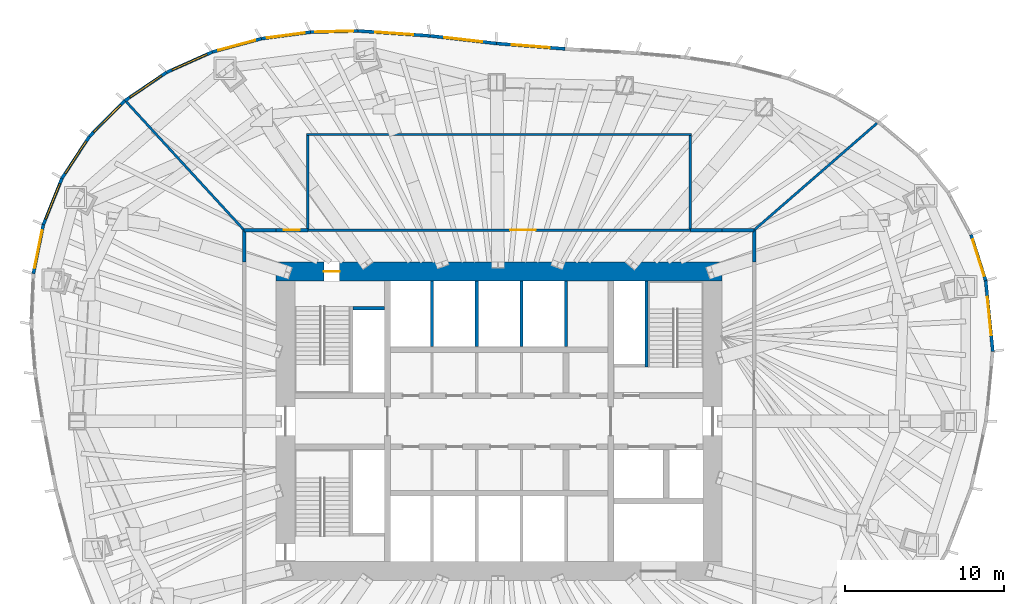
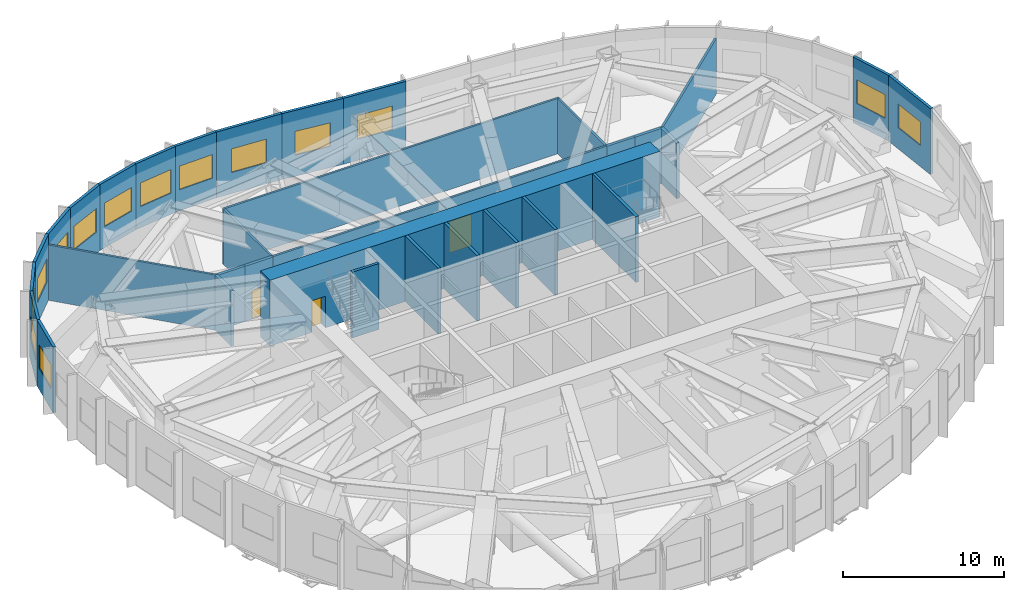
# One storey, part 9 of 12: 33 walls, 14 windows, 3 doors, 17 openings.
"""IFC4 building model written with IfcOpenShell, lengths in metres."""

from ifc_helpers import new_model, si_unit, direction, frame, frame_2d, origin, place, context, subcontext, project, spatial, rectangle, extrude, material, layer, layer_set, type_object, element, fill, save


model = new_model("IFC4")

# Units and contexts
model_context = context("Model", 3, precision=1e-05, world=origin(), true_north=direction((0.0, 1.0)))
body_context = subcontext(model_context, "Body", "Model", "MODEL_VIEW")
ifc_project = project(units=[si_unit("LENGTHUNIT", "METRE"), si_unit("AREAUNIT", "SQUARE_METRE"), si_unit("VOLUMEUNIT", "CUBIC_METRE"), si_unit("PLANEANGLEUNIT", "RADIAN"), si_unit("MASSUNIT", "GRAM", prefix="KILO")], contexts=[model_context])

# Site, building, storey
site_placement = place(None, origin())
site = spatial("IfcSite", under=ifc_project, at=site_placement, CompositionType="ELEMENT")
building_placement = place(site_placement, origin())
building = spatial("IfcBuilding", under=site, at=building_placement, Name="Ghaith Harvest Tower", CompositionType="ELEMENT")
storey_placement = place(building_placement, frame((0.0, 0.0, 189.800048828125)))
storey = spatial("IfcBuildingStorey", under=building, at=storey_placement, Name="L41", CompositionType="ELEMENT", Elevation=189.800048828125)

# Wall, opening, door
ifc_material_1 = material(Name="Concrete blockwork, 1-hour", Category="masonry")
ifc_layer_1 = layer(ifc_material_1, 0.215087890625)
ifc_layer_set_1 = layer_set([ifc_layer_1], Name="BLOCKWORK WALL 215")
wall_type_1 = type_object("IfcWallType", Name="BLOCKWORK WALL 215", PredefinedType="PARTITIONING", material=ifc_layer_set_1)
wall_1_placement = place(storey_placement, frame((-12.0, 12.0, 0.0), z_axis=(0.0, 0.0, 1.0), x_axis=(-1.0, 0.0, 0.0)))
wall_1 = element("IfcWall", 1, at=wall_1_placement, inside=storey, type_object=wall_type_1, Name="Plant room wall L41", PredefinedType="PARTITIONING", context=body_context, shape_type="SweptSolid", body=[
    extrude(rectangle(XDim=2.0, YDim=0.215087890625, at=frame_2d((1.0, 0.0))), origin(), (0.0, 0.0, 1.0), 4.199951171875),
])
opening_1_placement = place(wall_1_placement, frame((0.5, 0.0, 0.0)))
opening_1 = element("IfcOpeningElement", 2, at=opening_1_placement, cuts=wall_1, Name="Opening 41-024", PredefinedType="OPENING", context=body_context, shape_type="SweptSolid", body=[
    extrude(rectangle(XDim=1.0, YDim=2.199951171875, at=frame_2d((0.5, 1.10009765625))), frame((0.0, 0.11767578125, 0.0), z_axis=(0.0, -1.0, 0.0), x_axis=(1.0, 0.0, 0.0)), (0.0, 0.0, 1.0), 0.235107421875),
])
ifc_material_2 = material(Name="Timber door", Category="wood")
door_type_1 = type_object("IfcDoorType", Name="D1 SINGLE 1000x2200", OperationType="SINGLE_SWING_LEFT", PredefinedType="DOOR", material=ifc_material_2)
door_1_placement = place(opening_1_placement, origin())
door_1 = element("IfcDoor", 3, at=door_1_placement, inside=storey, type_object=door_type_1, Name="Air handling plant room north door", OperationType="SINGLE_SWING_LEFT", OverallHeight=2.199951171875, OverallWidth=1.0, PredefinedType="DOOR", context=body_context, shape_type="SweptSolid", body=[
    extrude(rectangle(XDim=1.0, YDim=2.199951171875, at=frame_2d((0.5, 1.10009765625))), frame((0.0, 0.02490234375, 0.0), z_axis=(0.0, -1.0, 0.0), x_axis=(1.0, 0.0, 0.0)), (0.0, 0.0, 1.0), 0.050048828125),
])
fill(opening_1, door_1)

# Walls
for number, where, z_axis, x_axis, name in (
    (4, (-14.0, 12.0, 0.0), (0.0, 0.0, 1.0), (-1.0, 0.0, 0.0), "Plant room wall L41"),
    (5, (16.0, 12.0, 0.0), (0.0, 0.0, 1.0), (-1.0, 0.0, 0.0), "Plant room wall L41"),
    (6, (14.0, 12.0, 0.0), (0.0, 0.0, 1.0), (-1.0, 0.0, 0.0), "Plant room wall L41"),
    (7, (16.0, 10.0, 0.0), (0.0, 0.0, 1.0), (0.0, 1.0, 0.0), "Plant room wall L41"),
    (8, (-16.0, 12.0, 0.0), (0.0, 0.0, 1.0), (0.0, -1.0, 0.0), "Plant room wall L41"),
):
    element("IfcWall", number, at=place(storey_placement, frame(where, z_axis=z_axis, x_axis=x_axis)), inside=storey, type_object=wall_type_1, Name=name, PredefinedType="PARTITIONING", context=body_context, shape_type="SweptSolid", body=[
        extrude(rectangle(XDim=2.0, YDim=0.215087890625, at=frame_2d((1.0, 0.0))), origin(), (0.0, 0.0, 1.0), 4.199951171875),
    ])

# Wall, opening, door
ifc_material_3 = material(Name="Concrete C60/75", Category="concrete")
ifc_layer_2 = layer(ifc_material_3, 1.199951171875)
ifc_layer_set_2 = layer_set([ifc_layer_2], Name="CORE WALL CW1200 C60")
wall_type_2 = type_object("IfcWallType", Name="CORE WALL CW1200 C60", PredefinedType="SHEAR", material=ifc_layer_set_2)
wall_2_placement = place(storey_placement, frame((14.0, 9.39990234375, 0.0), z_axis=(0.0, 0.0, 1.0), x_axis=(-1.0, 0.0, 0.0)))
wall_2 = element("IfcWall", 9, at=wall_2_placement, inside=storey, type_object=wall_type_2, Name="Core wall N L41", PredefinedType="SHEAR", context=body_context, shape_type="SweptSolid", body=[
    extrude(rectangle(XDim=28.0, YDim=1.199951171875, at=frame_2d((14.0, 0.0))), origin(), (0.0, 0.0, 1.0), 5.0),
])
opening_2_placement = place(wall_2_placement, frame((24.0, 0.0, 0.0)))
opening_2 = element("IfcOpeningElement", 10, at=opening_2_placement, cuts=wall_2, Name="Opening 41-005", PredefinedType="OPENING", context=body_context, shape_type="SweptSolid", body=[
    extrude(rectangle(XDim=1.0, YDim=2.39990234375, at=frame_2d((0.5, 1.199951171875))), frame((0.0, 0.60986328125, 0.0), z_axis=(0.0, -1.0, 0.0), x_axis=(1.0, 0.0, 0.0)), (0.0, 0.0, 1.0), 1.219970703125),
])
ifc_material_4 = material(Name="Steel fire door", Category="steel")
door_type_2 = type_object("IfcDoorType", Name="D3 FD90 1000x2400", OperationType="SINGLE_SWING_LEFT", PredefinedType="DOOR", material=ifc_material_4)
door_2_placement = place(opening_2_placement, origin())
door_2 = element("IfcDoor", 11, at=door_2_placement, inside=storey, type_object=door_type_2, Name="Stair ST1 door", OperationType="SINGLE_SWING_RIGHT", OverallHeight=2.39990234375, OverallWidth=1.0, PredefinedType="DOOR", context=body_context, shape_type="SweptSolid", body=[
    extrude(rectangle(XDim=1.0, YDim=2.39990234375, at=frame_2d((0.5, 1.199951171875))), frame((0.0, 0.02490234375, 0.0), z_axis=(0.0, -1.0, 0.0), x_axis=(1.0, 0.0, 0.0)), (0.0, 0.0, 1.0), 0.050048828125),
])
fill(opening_2, door_2)

# Walls
ifc_material_5 = material(Name="Concrete blockwork, 2-hour", Category="masonry")
ifc_layer_3 = layer(ifc_material_5, 0.199951171875)
ifc_layer_set_3 = layer_set([ifc_layer_3], Name="LIFT SHAFT WALL 200")
wall_type_3 = type_object("IfcWallType", Name="LIFT SHAFT WALL 200", PredefinedType="PARTITIONING", material=ifc_layer_set_3)
for number, where, z_axis, x_axis, name in (
    (12, (-4.199951171875, 4.699951171875, 0.0), (0.0, 0.0, 1.0), (0.0, 1.0, 0.0), "Lift shaft wall L41"),
    (13, (-1.39990234375, 4.699951171875, 0.0), (0.0, 0.0, 1.0), (0.0, 1.0, 0.0), "Lift shaft wall L41"),
    (14, (1.39990234375, 4.699951171875, 0.0), (0.0, 0.0, 1.0), (0.0, 1.0, 0.0), "Lift shaft wall L41"),
    (15, (4.199951171875, 4.699951171875, 0.0), (0.0, 0.0, 1.0), (0.0, 1.0, 0.0), "Lift shaft wall L41"),
):
    element("IfcWall", number, at=place(storey_placement, frame(where, z_axis=z_axis, x_axis=x_axis)), inside=storey, type_object=wall_type_3, Name=name, PredefinedType="PARTITIONING", context=body_context, shape_type="SweptSolid", body=[
        extrude(rectangle(XDim=4.10009765625, YDim=0.199951171875, at=frame_2d((2.050048828125, 0.0))), origin(), (0.0, 0.0, 1.0), 5.0),
    ])
ifc_material_6 = material(Name="Gypsum board on steel studs", Category="steel")
ifc_layer_4 = layer(ifc_material_6, 0.14990234375)
ifc_layer_set_4 = layer_set([ifc_layer_4], Name="PARTITION 150")
wall_type_4 = type_object("IfcWallType", Name="PARTITION 150", PredefinedType="PARTITIONING", material=ifc_layer_set_4)
wall_3_placement = place(storey_placement, frame((-16.013427734375, 12.0146484375, 0.0), z_axis=(0.0, 0.0, 1.0), x_axis=(-0.676167685567, 0.73674775941, 0.0)))
element("IfcWall", 16, at=wall_3_placement, inside=storey, type_object=wall_type_4, Name="Partition L41 zone division", PredefinedType="PARTITIONING", context=body_context, shape_type="SweptSolid", body=[
    extrude(rectangle(XDim=10.9013671875, YDim=0.14990234375, at=frame_2d((5.45068359375, 0.0))), origin(), (0.0, 0.0, 1.0), 4.199951171875),
])
wall_4_placement = place(storey_placement, frame((16.01513671875, 12.01318359375, 0.0), z_axis=(0.0, 0.0, 1.0), x_axis=(0.754689007548, 0.656082694397, 0.0)))
element("IfcWall", 17, at=wall_4_placement, inside=storey, type_object=wall_type_4, Name="Partition L41 zone division", PredefinedType="PARTITIONING", context=body_context, shape_type="SweptSolid", body=[
    extrude(rectangle(XDim=10.1982421875, YDim=0.14990234375, at=frame_2d((5.09912109375, 0.0))), origin(), (0.0, 0.0, 1.0), 4.199951171875),
])

# Wall, opening, door
wall_5_placement = place(storey_placement, frame((-12.074951171875, 12.0, 0.0), z_axis=(0.0, 0.0, 1.0), x_axis=(1.0, 0.0, 0.0)))
wall_5 = element("IfcWall", 18, at=wall_5_placement, inside=storey, type_object=wall_type_4, Name="Partition L41-01", PredefinedType="PARTITIONING", context=body_context, shape_type="SweptSolid", body=[
    extrude(rectangle(XDim=24.14990234375, YDim=0.14990234375, at=frame_2d((12.074951171875, 0.0))), origin(), (0.0, 0.0, 1.0), 4.199951171875),
])
opening_3_placement = place(wall_5_placement, frame((12.77490234375, 0.0, 0.0)))
opening_3 = element("IfcOpeningElement", 19, at=opening_3_placement, cuts=wall_5, Name="Opening 41-021", PredefinedType="OPENING", context=body_context, shape_type="SweptSolid", body=[
    extrude(rectangle(XDim=1.60009765625, YDim=2.39990234375, at=frame_2d((0.800048828125, 1.199951171875))), frame((0.0, 0.0849609375, 0.0), z_axis=(0.0, -1.0, 0.0), x_axis=(1.0, 0.0, 0.0)), (0.0, 0.0, 1.0), 0.169921875),
])
ifc_material_7 = material(Name="Timber door", Category="wood")
door_type_3 = type_object("IfcDoorType", Name="D2 PAIR 1600x2400", OperationType="DOUBLE_DOOR_SINGLE_SWING", PredefinedType="DOOR", material=ifc_material_7)
door_3_placement = place(opening_3_placement, origin())
door_3 = element("IfcDoor", 20, at=door_3_placement, inside=storey, type_object=door_type_3, Name="Refuge area door", OperationType="DOUBLE_DOOR_SINGLE_SWING", OverallHeight=2.39990234375, OverallWidth=1.60009765625, PredefinedType="DOOR", context=body_context, shape_type="SweptSolid", body=[
    extrude(rectangle(XDim=1.60009765625, YDim=2.39990234375, at=frame_2d((0.800048828125, 1.199951171875))), frame((0.0, 0.02490234375, 0.0), z_axis=(0.0, -1.0, 0.0), x_axis=(1.0, 0.0, 0.0)), (0.0, 0.0, 1.0), 0.050048828125),
])
fill(opening_3, door_3)

# Walls
wall_6_placement = place(storey_placement, frame((-12.074951171875, 18.0, 0.0), z_axis=(0.0, 0.0, 1.0), x_axis=(1.0, 0.0, 0.0)))
element("IfcWall", 21, at=wall_6_placement, inside=storey, type_object=wall_type_4, Name="Partition L41-01", PredefinedType="PARTITIONING", context=body_context, shape_type="SweptSolid", body=[
    extrude(rectangle(XDim=24.14990234375, YDim=0.14990234375, at=frame_2d((12.074951171875, 0.0))), origin(), (0.0, 0.0, 1.0), 4.199951171875),
])
for number, where, z_axis, x_axis, name in (
    (22, (-12.0, 12.074951171875, 0.0), (0.0, 0.0, 1.0), (0.0, 1.0, 0.0), "Partition L41-01"),
    (23, (12.0, 12.074951171875, 0.0), (0.0, 0.0, 1.0), (0.0, 1.0, 0.0), "Partition L41-01"),
):
    element("IfcWall", number, at=place(storey_placement, frame(where, z_axis=z_axis, x_axis=x_axis)), inside=storey, type_object=wall_type_4, Name=name, PredefinedType="PARTITIONING", context=body_context, shape_type="SweptSolid", body=[
        extrude(rectangle(XDim=5.85009765625, YDim=0.14990234375, at=frame_2d((2.925048828125, 0.0))), origin(), (0.0, 0.0, 1.0), 4.199951171875),
    ])

# Wall, opening, window
ifc_material_8 = material(Name="Steel, black insulated metal cladding panel", Category="steel")
ifc_layer_5 = layer(ifc_material_8, 0.199951171875)
ifc_layer_set_5 = layer_set([ifc_layer_5], Name="PLANT ENCLOSURE WALL 200")
wall_type_5 = type_object("IfcWallType", Name="PLANT ENCLOSURE WALL 200", PredefinedType="SOLIDWALL", material=ifc_layer_set_5)
wall_7_placement = place(storey_placement, frame((30.97900390625, 4.386962890625, 0.0), z_axis=(0.0, 0.0, 1.0), x_axis=(-0.099509138376, 0.99503664826, 0.0)))
wall_7 = element("IfcWall", 24, at=wall_7_placement, inside=storey, type_object=wall_type_5, Name="Plant enclosure wall 01.2 L41", PredefinedType="SOLIDWALL", context=body_context, shape_type="SweptSolid", body=[
    extrude(rectangle(XDim=4.46044921875, YDim=0.199951171875, at=frame_2d((2.230224609375, 0.0))), origin(), (0.0, 0.0, 1.0), 5.0),
])
opening_4_placement = place(wall_7_placement, frame((1.0302734375, 0.0, 1.60009765625)))
opening_4 = element("IfcOpeningElement", 25, at=opening_4_placement, cuts=wall_7, Name="Opening LV1", PredefinedType="OPENING", context=body_context, shape_type="SweptSolid", body=[
    extrude(rectangle(XDim=2.39990234375, YDim=1.800048828125, at=frame_2d((1.199951171875, 0.89990234375))), frame((0.0, 0.10986328125, 0.0), z_axis=(0.0, -1.0, 0.0), x_axis=(1.0, 0.0, 0.0)), (0.0, 0.0, 1.0), 0.219970703125),
])
ifc_material_9 = material(Name="Aluminium louvre, black", Category="aluminium")
window_type = type_object("IfcWindowType", Name="LOUVRE L1 2400x1800", PartitioningType="SINGLE_PANEL", PredefinedType="WINDOW", material=ifc_material_9)
window_1_placement = place(opening_4_placement, origin())
window_1 = element("IfcWindow", 26, at=window_1_placement, inside=storey, type_object=window_type, Name="Plant louvre 01.2 L41", OverallHeight=1.800048828125, OverallWidth=2.39990234375, PartitioningType="SINGLE_PANEL", PredefinedType="WINDOW", context=body_context, shape_type="SweptSolid", body=[
    extrude(rectangle(XDim=2.39990234375, YDim=1.800048828125, at=frame_2d((1.199951171875, 0.89990234375))), frame((0.0, 0.030029296875, 0.0), z_axis=(0.0, -1.0, 0.0), x_axis=(1.0, 0.0, 0.0)), (0.0, 0.0, 1.0), 0.06005859375),
])
fill(opening_4, window_1)

wall_8_placement = place(storey_placement, frame((30.53515625, 8.8251953125, 0.0), z_axis=(0.0, 0.0, 1.0), x_axis=(-0.303736389134, 0.952756110406, 0.0)))
wall_8 = element("IfcWall", 27, at=wall_8_placement, inside=storey, type_object=wall_type_5, Name="Plant enclosure wall 02.1 L41", PredefinedType="SOLIDWALL", context=body_context, shape_type="SweptSolid", body=[
    extrude(rectangle(XDim=3.0263671875, YDim=0.199951171875, at=frame_2d((1.51318359375, 0.0))), origin(), (0.0, 0.0, 1.0), 5.0),
])
opening_5_placement = place(wall_8_placement, frame((0.31298828125, 0.0, 1.60009765625)))
opening_5 = element("IfcOpeningElement", 28, at=opening_5_placement, cuts=wall_8, Name="Opening LV1", PredefinedType="OPENING", context=body_context, shape_type="SweptSolid", body=[
    extrude(rectangle(XDim=2.39990234375, YDim=1.800048828125, at=frame_2d((1.199951171875, 0.89990234375))), frame((0.0, 0.10986328125, 0.0), z_axis=(0.0, -1.0, 0.0), x_axis=(1.0, 0.0, 0.0)), (0.0, 0.0, 1.0), 0.219970703125),
])
window_2_placement = place(opening_5_placement, origin())
window_2 = element("IfcWindow", 29, at=window_2_placement, inside=storey, type_object=window_type, Name="Plant louvre 02.1 L41", OverallHeight=1.800048828125, OverallWidth=2.39990234375, PartitioningType="SINGLE_PANEL", PredefinedType="WINDOW", context=body_context, shape_type="SweptSolid", body=[
    extrude(rectangle(XDim=2.39990234375, YDim=1.800048828125, at=frame_2d((1.199951171875, 0.89990234375))), frame((0.0, 0.030029296875, 0.0), z_axis=(0.0, -1.0, 0.0), x_axis=(1.0, 0.0, 0.0)), (0.0, 0.0, 1.0), 0.06005859375),
])
fill(opening_5, window_2)

wall_9_placement = place(storey_placement, frame((4.14306640625, 23.371337890625, 0.0), z_axis=(0.0, 0.0, 1.0), x_axis=(-0.99692574957, 0.078352088965, 0.0)))
wall_9 = element("IfcWall", 30, at=wall_9_placement, inside=storey, type_object=wall_type_5, Name="Plant enclosure wall 05.2 L41", PredefinedType="SOLIDWALL", context=body_context, shape_type="SweptSolid", body=[
    extrude(rectangle(XDim=4.318603515625, YDim=0.199951171875, at=frame_2d((2.1591796875, 0.0))), origin(), (0.0, 0.0, 1.0), 5.0),
])
opening_6_placement = place(wall_9_placement, frame((0.95947265625, 0.0, 1.60009765625)))
opening_6 = element("IfcOpeningElement", 31, at=opening_6_placement, cuts=wall_9, Name="Opening LV1", PredefinedType="OPENING", context=body_context, shape_type="SweptSolid", body=[
    extrude(rectangle(XDim=2.39990234375, YDim=1.800048828125, at=frame_2d((1.199951171875, 0.89990234375))), frame((0.0, 0.10986328125, 0.0), z_axis=(0.0, -1.0, 0.0), x_axis=(1.0, 0.0, 0.0)), (0.0, 0.0, 1.0), 0.219970703125),
])
window_3_placement = place(opening_6_placement, origin())
window_3 = element("IfcWindow", 32, at=window_3_placement, inside=storey, type_object=window_type, Name="Plant louvre 05.2 L41", OverallHeight=1.800048828125, OverallWidth=2.39990234375, PartitioningType="SINGLE_PANEL", PredefinedType="WINDOW", context=body_context, shape_type="SweptSolid", body=[
    extrude(rectangle(XDim=2.39990234375, YDim=1.800048828125, at=frame_2d((1.199951171875, 0.89990234375))), frame((0.0, 0.030029296875, 0.0), z_axis=(0.0, -1.0, 0.0), x_axis=(1.0, 0.0, 0.0)), (0.0, 0.0, 1.0), 0.06005859375),
])
fill(opening_6, window_3)

wall_10_placement = place(storey_placement, frame((-0.162353515625, 23.709716796875, 0.0), z_axis=(0.0, 0.0, 1.0), x_axis=(-0.993460449334, 0.114176773511, 0.0)))
wall_10 = element("IfcWall", 33, at=wall_10_placement, inside=storey, type_object=wall_type_5, Name="Plant enclosure wall 06.1 L41", PredefinedType="SOLIDWALL", context=body_context, shape_type="SweptSolid", body=[
    extrude(rectangle(XDim=4.1845703125, YDim=0.199951171875, at=frame_2d((2.09228515625, 0.0))), origin(), (0.0, 0.0, 1.0), 5.0),
])
opening_7_placement = place(wall_10_placement, frame((0.892333984375, 0.0, 1.60009765625)))
opening_7 = element("IfcOpeningElement", 34, at=opening_7_placement, cuts=wall_10, Name="Opening LV1", PredefinedType="OPENING", context=body_context, shape_type="SweptSolid", body=[
    extrude(rectangle(XDim=2.39990234375, YDim=1.800048828125, at=frame_2d((1.199951171875, 0.89990234375))), frame((0.0, 0.10986328125, 0.0), z_axis=(0.0, -1.0, 0.0), x_axis=(1.0, 0.0, 0.0)), (0.0, 0.0, 1.0), 0.219970703125),
])
window_4_placement = place(opening_7_placement, origin())
window_4 = element("IfcWindow", 35, at=window_4_placement, inside=storey, type_object=window_type, Name="Plant louvre 06.1 L41", OverallHeight=1.800048828125, OverallWidth=2.39990234375, PartitioningType="SINGLE_PANEL", PredefinedType="WINDOW", context=body_context, shape_type="SweptSolid", body=[
    extrude(rectangle(XDim=2.39990234375, YDim=1.800048828125, at=frame_2d((1.199951171875, 0.89990234375))), frame((0.0, 0.030029296875, 0.0), z_axis=(0.0, -1.0, 0.0), x_axis=(1.0, 0.0, 0.0)), (0.0, 0.0, 1.0), 0.06005859375),
])
fill(opening_7, window_4)

wall_11_placement = place(storey_placement, frame((-4.319580078125, 24.1875, 0.0), z_axis=(0.0, 0.0, 1.0), x_axis=(-0.997649891187, 0.068517841583, 0.0)))
wall_11 = element("IfcWall", 36, at=wall_11_placement, inside=storey, type_object=wall_type_5, Name="Plant enclosure wall 06.2 L41", PredefinedType="SOLIDWALL", context=body_context, shape_type="SweptSolid", body=[
    extrude(rectangle(XDim=4.53955078125, YDim=0.199951171875, at=frame_2d((2.269775390625, 0.0))), origin(), (0.0, 0.0, 1.0), 5.0),
])
opening_8_placement = place(wall_11_placement, frame((1.069580078125, 0.0, 1.60009765625)))
opening_8 = element("IfcOpeningElement", 37, at=opening_8_placement, cuts=wall_11, Name="Opening LV1", PredefinedType="OPENING", context=body_context, shape_type="SweptSolid", body=[
    extrude(rectangle(XDim=2.39990234375, YDim=1.800048828125, at=frame_2d((1.199951171875, 0.89990234375))), frame((0.0, 0.10986328125, 0.0), z_axis=(0.0, -1.0, 0.0), x_axis=(1.0, 0.0, 0.0)), (0.0, 0.0, 1.0), 0.219970703125),
])
window_5_placement = place(opening_8_placement, origin())
window_5 = element("IfcWindow", 38, at=window_5_placement, inside=storey, type_object=window_type, Name="Plant louvre 06.2 L41", OverallHeight=1.800048828125, OverallWidth=2.39990234375, PartitioningType="SINGLE_PANEL", PredefinedType="WINDOW", context=body_context, shape_type="SweptSolid", body=[
    extrude(rectangle(XDim=2.39990234375, YDim=1.800048828125, at=frame_2d((1.199951171875, 0.89990234375))), frame((0.0, 0.030029296875, 0.0), z_axis=(0.0, -1.0, 0.0), x_axis=(1.0, 0.0, 0.0)), (0.0, 0.0, 1.0), 0.06005859375),
])
fill(opening_8, window_5)

wall_12_placement = place(storey_placement, frame((-8.848388671875, 24.49853515625, 0.0), z_axis=(0.0, 0.0, 1.0), x_axis=(-0.999668090849, -0.025762533635, 0.0)))
wall_12 = element("IfcWall", 39, at=wall_12_placement, inside=storey, type_object=wall_type_5, Name="Plant enclosure wall 07.1 L41", PredefinedType="SOLIDWALL", context=body_context, shape_type="SweptSolid", body=[
    extrude(rectangle(XDim=2.985107421875, YDim=0.199951171875, at=frame_2d((1.49267578125, 0.0))), origin(), (0.0, 0.0, 1.0), 5.0),
])
opening_9_placement = place(wall_12_placement, frame((0.29248046875, 0.0, 1.60009765625)))
opening_9 = element("IfcOpeningElement", 40, at=opening_9_placement, cuts=wall_12, Name="Opening LV1", PredefinedType="OPENING", context=body_context, shape_type="SweptSolid", body=[
    extrude(rectangle(XDim=2.39990234375, YDim=1.800048828125, at=frame_2d((1.199951171875, 0.89990234375))), frame((0.0, 0.10986328125, 0.0), z_axis=(0.0, -1.0, 0.0), x_axis=(1.0, 0.0, 0.0)), (0.0, 0.0, 1.0), 0.219970703125),
])
window_6_placement = place(opening_9_placement, origin())
window_6 = element("IfcWindow", 41, at=window_6_placement, inside=storey, type_object=window_type, Name="Plant louvre 07.1 L41", OverallHeight=1.800048828125, OverallWidth=2.39990234375, PartitioningType="SINGLE_PANEL", PredefinedType="WINDOW", context=body_context, shape_type="SweptSolid", body=[
    extrude(rectangle(XDim=2.39990234375, YDim=1.800048828125, at=frame_2d((1.199951171875, 0.89990234375))), frame((0.0, 0.030029296875, 0.0), z_axis=(0.0, -1.0, 0.0), x_axis=(1.0, 0.0, 0.0)), (0.0, 0.0, 1.0), 0.06005859375),
])
fill(opening_9, window_6)

wall_13_placement = place(storey_placement, frame((-11.83251953125, 24.421630859375, 0.0), z_axis=(0.0, 0.0, 1.0), x_axis=(-0.991315501452, -0.131505043936, 0.0)))
wall_13 = element("IfcWall", 42, at=wall_13_placement, inside=storey, type_object=wall_type_5, Name="Plant enclosure wall 07.2 L41", PredefinedType="SOLIDWALL", context=body_context, shape_type="SweptSolid", body=[
    extrude(rectangle(XDim=3.10791015625, YDim=0.199951171875, at=frame_2d((1.553955078125, 0.0))), origin(), (0.0, 0.0, 1.0), 5.0),
])
opening_10_placement = place(wall_13_placement, frame((0.35400390625, 0.0, 1.60009765625)))
opening_10 = element("IfcOpeningElement", 43, at=opening_10_placement, cuts=wall_13, Name="Opening LV1", PredefinedType="OPENING", context=body_context, shape_type="SweptSolid", body=[
    extrude(rectangle(XDim=2.39990234375, YDim=1.800048828125, at=frame_2d((1.199951171875, 0.89990234375))), frame((0.0, 0.10986328125, 0.0), z_axis=(0.0, -1.0, 0.0), x_axis=(1.0, 0.0, 0.0)), (0.0, 0.0, 1.0), 0.219970703125),
])
window_7_placement = place(opening_10_placement, origin())
window_7 = element("IfcWindow", 44, at=window_7_placement, inside=storey, type_object=window_type, Name="Plant louvre 07.2 L41", OverallHeight=1.800048828125, OverallWidth=2.39990234375, PartitioningType="SINGLE_PANEL", PredefinedType="WINDOW", context=body_context, shape_type="SweptSolid", body=[
    extrude(rectangle(XDim=2.39990234375, YDim=1.800048828125, at=frame_2d((1.199951171875, 0.89990234375))), frame((0.0, 0.030029296875, 0.0), z_axis=(0.0, -1.0, 0.0), x_axis=(1.0, 0.0, 0.0)), (0.0, 0.0, 1.0), 0.06005859375),
])
fill(opening_10, window_7)

wall_14_placement = place(storey_placement, frame((-14.913330078125, 24.012939453125, 0.0), z_axis=(0.0, 0.0, 1.0), x_axis=(-0.965180199186, -0.26158590004, 0.0)))
wall_14 = element("IfcWall", 45, at=wall_14_placement, inside=storey, type_object=wall_type_5, Name="Plant enclosure wall 07.3 L41", PredefinedType="SOLIDWALL", context=body_context, shape_type="SweptSolid", body=[
    extrude(rectangle(XDim=3.197509765625, YDim=0.199951171875, at=frame_2d((1.5986328125, 0.0))), origin(), (0.0, 0.0, 1.0), 5.0),
])
opening_11_placement = place(wall_14_placement, frame((0.39892578125, 0.0, 1.60009765625)))
opening_11 = element("IfcOpeningElement", 46, at=opening_11_placement, cuts=wall_14, Name="Opening LV1", PredefinedType="OPENING", context=body_context, shape_type="SweptSolid", body=[
    extrude(rectangle(XDim=2.39990234375, YDim=1.800048828125, at=frame_2d((1.199951171875, 0.89990234375))), frame((0.0, 0.10986328125, 0.0), z_axis=(0.0, -1.0, 0.0), x_axis=(1.0, 0.0, 0.0)), (0.0, 0.0, 1.0), 0.219970703125),
])
window_8_placement = place(opening_11_placement, origin())
window_8 = element("IfcWindow", 47, at=window_8_placement, inside=storey, type_object=window_type, Name="Plant louvre 07.3 L41", OverallHeight=1.800048828125, OverallWidth=2.39990234375, PartitioningType="SINGLE_PANEL", PredefinedType="WINDOW", context=body_context, shape_type="SweptSolid", body=[
    extrude(rectangle(XDim=2.39990234375, YDim=1.800048828125, at=frame_2d((1.199951171875, 0.89990234375))), frame((0.0, 0.030029296875, 0.0), z_axis=(0.0, -1.0, 0.0), x_axis=(1.0, 0.0, 0.0)), (0.0, 0.0, 1.0), 0.06005859375),
])
fill(opening_11, window_8)

wall_15_placement = place(storey_placement, frame((-17.99951171875, 23.176513671875, 0.0), z_axis=(0.0, 0.0, 1.0), x_axis=(-0.912948838564, -0.408074035151, 0.0)))
wall_15 = element("IfcWall", 48, at=wall_15_placement, inside=storey, type_object=wall_type_5, Name="Plant enclosure wall 08.1 L41", PredefinedType="SOLIDWALL", context=body_context, shape_type="SweptSolid", body=[
    extrude(rectangle(XDim=3.135009765625, YDim=0.199951171875, at=frame_2d((1.5673828125, 0.0))), origin(), (0.0, 0.0, 1.0), 5.0),
])
opening_12_placement = place(wall_15_placement, frame((0.367431640625, 0.0, 1.60009765625)))
opening_12 = element("IfcOpeningElement", 49, at=opening_12_placement, cuts=wall_15, Name="Opening LV1", PredefinedType="OPENING", context=body_context, shape_type="SweptSolid", body=[
    extrude(rectangle(XDim=2.39990234375, YDim=1.800048828125, at=frame_2d((1.199951171875, 0.89990234375))), frame((0.0, 0.10986328125, 0.0), z_axis=(0.0, -1.0, 0.0), x_axis=(1.0, 0.0, 0.0)), (0.0, 0.0, 1.0), 0.219970703125),
])
window_9_placement = place(opening_12_placement, origin())
window_9 = element("IfcWindow", 50, at=window_9_placement, inside=storey, type_object=window_type, Name="Plant louvre 08.1 L41", OverallHeight=1.800048828125, OverallWidth=2.39990234375, PartitioningType="SINGLE_PANEL", PredefinedType="WINDOW", context=body_context, shape_type="SweptSolid", body=[
    extrude(rectangle(XDim=2.39990234375, YDim=1.800048828125, at=frame_2d((1.199951171875, 0.89990234375))), frame((0.0, 0.030029296875, 0.0), z_axis=(0.0, -1.0, 0.0), x_axis=(1.0, 0.0, 0.0)), (0.0, 0.0, 1.0), 0.06005859375),
])
fill(opening_12, window_9)

wall_16_placement = place(storey_placement, frame((-20.861572265625, 21.897216796875, 0.0), z_axis=(0.0, 0.0, 1.0), x_axis=(-0.827765731464, -0.561073875541, 0.0)))
wall_16 = element("IfcWall", 51, at=wall_16_placement, inside=storey, type_object=wall_type_5, Name="Plant enclosure wall 08.2 L41", PredefinedType="SOLIDWALL", context=body_context, shape_type="SweptSolid", body=[
    extrude(rectangle(XDim=3.156494140625, YDim=0.199951171875, at=frame_2d((1.578125, 0.0))), origin(), (0.0, 0.0, 1.0), 5.0),
])
opening_13_placement = place(wall_16_placement, frame((0.378173828125, 0.0, 1.60009765625)))
opening_13 = element("IfcOpeningElement", 52, at=opening_13_placement, cuts=wall_16, Name="Opening LV1", PredefinedType="OPENING", context=body_context, shape_type="SweptSolid", body=[
    extrude(rectangle(XDim=2.39990234375, YDim=1.800048828125, at=frame_2d((1.199951171875, 0.89990234375))), frame((0.0, 0.10986328125, 0.0), z_axis=(0.0, -1.0, 0.0), x_axis=(1.0, 0.0, 0.0)), (0.0, 0.0, 1.0), 0.219970703125),
])
window_10_placement = place(opening_13_placement, origin())
window_10 = element("IfcWindow", 53, at=window_10_placement, inside=storey, type_object=window_type, Name="Plant louvre 08.2 L41", OverallHeight=1.800048828125, OverallWidth=2.39990234375, PartitioningType="SINGLE_PANEL", PredefinedType="WINDOW", context=body_context, shape_type="SweptSolid", body=[
    extrude(rectangle(XDim=2.39990234375, YDim=1.800048828125, at=frame_2d((1.199951171875, 0.89990234375))), frame((0.0, 0.030029296875, 0.0), z_axis=(0.0, -1.0, 0.0), x_axis=(1.0, 0.0, 0.0)), (0.0, 0.0, 1.0), 0.06005859375),
])
fill(opening_13, window_10)

wall_17_placement = place(storey_placement, frame((-23.474365234375, 20.126220703125, 0.0), z_axis=(0.0, 0.0, 1.0), x_axis=(-0.704630885625, -0.709574037732, 0.0)))
wall_17 = element("IfcWall", 54, at=wall_17_placement, inside=storey, type_object=wall_type_5, Name="Plant enclosure wall 08.3 L41", PredefinedType="SOLIDWALL", context=body_context, shape_type="SweptSolid", body=[
    extrude(rectangle(XDim=3.160888671875, YDim=0.199951171875, at=frame_2d((1.58056640625, 0.0))), origin(), (0.0, 0.0, 1.0), 5.0),
])
opening_14_placement = place(wall_17_placement, frame((0.380615234375, 0.0, 1.60009765625)))
opening_14 = element("IfcOpeningElement", 55, at=opening_14_placement, cuts=wall_17, Name="Opening LV1", PredefinedType="OPENING", context=body_context, shape_type="SweptSolid", body=[
    extrude(rectangle(XDim=2.39990234375, YDim=1.800048828125, at=frame_2d((1.199951171875, 0.89990234375))), frame((0.0, 0.10986328125, 0.0), z_axis=(0.0, -1.0, 0.0), x_axis=(1.0, 0.0, 0.0)), (0.0, 0.0, 1.0), 0.219970703125),
])
window_11_placement = place(opening_14_placement, origin())
window_11 = element("IfcWindow", 56, at=window_11_placement, inside=storey, type_object=window_type, Name="Plant louvre 08.3 L41", OverallHeight=1.800048828125, OverallWidth=2.39990234375, PartitioningType="SINGLE_PANEL", PredefinedType="WINDOW", context=body_context, shape_type="SweptSolid", body=[
    extrude(rectangle(XDim=2.39990234375, YDim=1.800048828125, at=frame_2d((1.199951171875, 0.89990234375))), frame((0.0, 0.030029296875, 0.0), z_axis=(0.0, -1.0, 0.0), x_axis=(1.0, 0.0, 0.0)), (0.0, 0.0, 1.0), 0.06005859375),
])
fill(opening_14, window_11)

wall_18_placement = place(storey_placement, frame((-25.70166015625, 17.88330078125, 0.0), z_axis=(0.0, 0.0, 1.0), x_axis=(-0.5482697366, -0.836301558009, 0.0)))
wall_18 = element("IfcWall", 57, at=wall_18_placement, inside=storey, type_object=wall_type_5, Name="Plant enclosure wall 09.1 L41", PredefinedType="SOLIDWALL", context=body_context, shape_type="SweptSolid", body=[
    extrude(rectangle(XDim=3.144775390625, YDim=0.199951171875, at=frame_2d((1.572265625, 0.0))), origin(), (0.0, 0.0, 1.0), 5.0),
])
opening_15_placement = place(wall_18_placement, frame((0.372314453125, 0.0, 1.60009765625)))
opening_15 = element("IfcOpeningElement", 58, at=opening_15_placement, cuts=wall_18, Name="Opening LV1", PredefinedType="OPENING", context=body_context, shape_type="SweptSolid", body=[
    extrude(rectangle(XDim=2.39990234375, YDim=1.800048828125, at=frame_2d((1.199951171875, 0.89990234375))), frame((0.0, 0.10986328125, 0.0), z_axis=(0.0, -1.0, 0.0), x_axis=(1.0, 0.0, 0.0)), (0.0, 0.0, 1.0), 0.219970703125),
])
window_12_placement = place(opening_15_placement, origin())
window_12 = element("IfcWindow", 59, at=window_12_placement, inside=storey, type_object=window_type, Name="Plant louvre 09.1 L41", OverallHeight=1.800048828125, OverallWidth=2.39990234375, PartitioningType="SINGLE_PANEL", PredefinedType="WINDOW", context=body_context, shape_type="SweptSolid", body=[
    extrude(rectangle(XDim=2.39990234375, YDim=1.800048828125, at=frame_2d((1.199951171875, 0.89990234375))), frame((0.0, 0.030029296875, 0.0), z_axis=(0.0, -1.0, 0.0), x_axis=(1.0, 0.0, 0.0)), (0.0, 0.0, 1.0), 0.06005859375),
])
fill(opening_15, window_12)

wall_19_placement = place(storey_placement, frame((-27.42578125, 15.25341796875, 0.0), z_axis=(0.0, 0.0, 1.0), x_axis=(-0.372929681831, -0.927859608136, 0.0)))
wall_19 = element("IfcWall", 60, at=wall_19_placement, inside=storey, type_object=wall_type_5, Name="Plant enclosure wall 09.2 L41", PredefinedType="SOLIDWALL", context=body_context, shape_type="SweptSolid", body=[
    extrude(rectangle(XDim=3.144287109375, YDim=0.199951171875, at=frame_2d((1.572265625, 0.0))), origin(), (0.0, 0.0, 1.0), 5.0),
])
opening_16_placement = place(wall_19_placement, frame((0.372314453125, 0.0, 1.60009765625)))
opening_16 = element("IfcOpeningElement", 61, at=opening_16_placement, cuts=wall_19, Name="Opening LV1", PredefinedType="OPENING", context=body_context, shape_type="SweptSolid", body=[
    extrude(rectangle(XDim=2.39990234375, YDim=1.800048828125, at=frame_2d((1.199951171875, 0.89990234375))), frame((0.0, 0.10986328125, 0.0), z_axis=(0.0, -1.0, 0.0), x_axis=(1.0, 0.0, 0.0)), (0.0, 0.0, 1.0), 0.219970703125),
])
window_13_placement = place(opening_16_placement, origin())
window_13 = element("IfcWindow", 62, at=window_13_placement, inside=storey, type_object=window_type, Name="Plant louvre 09.2 L41", OverallHeight=1.800048828125, OverallWidth=2.39990234375, PartitioningType="SINGLE_PANEL", PredefinedType="WINDOW", context=body_context, shape_type="SweptSolid", body=[
    extrude(rectangle(XDim=2.39990234375, YDim=1.800048828125, at=frame_2d((1.199951171875, 0.89990234375))), frame((0.0, 0.030029296875, 0.0), z_axis=(0.0, -1.0, 0.0), x_axis=(1.0, 0.0, 0.0)), (0.0, 0.0, 1.0), 0.06005859375),
])
fill(opening_16, window_13)

wall_20_placement = place(storey_placement, frame((-28.598388671875, 12.3359375, 0.0), z_axis=(0.0, 0.0, 1.0), x_axis=(-0.198734139062, -0.980053438324, 0.0)))
wall_20 = element("IfcWall", 63, at=wall_20_placement, inside=storey, type_object=wall_type_5, Name="Plant enclosure wall 09.3 L41", PredefinedType="SOLIDWALL", context=body_context, shape_type="SweptSolid", body=[
    extrude(rectangle(XDim=3.137451171875, YDim=0.199951171875, at=frame_2d((1.56884765625, 0.0))), origin(), (0.0, 0.0, 1.0), 5.0),
])
opening_17_placement = place(wall_20_placement, frame((0.368896484375, 0.0, 1.60009765625)))
opening_17 = element("IfcOpeningElement", 64, at=opening_17_placement, cuts=wall_20, Name="Opening LV1", PredefinedType="OPENING", context=body_context, shape_type="SweptSolid", body=[
    extrude(rectangle(XDim=2.39990234375, YDim=1.800048828125, at=frame_2d((1.199951171875, 0.89990234375))), frame((0.0, 0.10986328125, 0.0), z_axis=(0.0, -1.0, 0.0), x_axis=(1.0, 0.0, 0.0)), (0.0, 0.0, 1.0), 0.219970703125),
])
window_14_placement = place(opening_17_placement, origin())
window_14 = element("IfcWindow", 65, at=window_14_placement, inside=storey, type_object=window_type, Name="Plant louvre 09.3 L41", OverallHeight=1.800048828125, OverallWidth=2.39990234375, PartitioningType="SINGLE_PANEL", PredefinedType="WINDOW", context=body_context, shape_type="SweptSolid", body=[
    extrude(rectangle(XDim=2.39990234375, YDim=1.800048828125, at=frame_2d((1.199951171875, 0.89990234375))), frame((0.0, 0.030029296875, 0.0), z_axis=(0.0, -1.0, 0.0), x_axis=(1.0, 0.0, 0.0)), (0.0, 0.0, 1.0), 0.06005859375),
])
fill(opening_17, window_14)

# Walls
ifc_material_10 = material(Name="Concrete C40/50", Category="concrete")
ifc_layer_6 = layer(ifc_material_10, 0.199951171875)
ifc_layer_set_6 = layer_set([ifc_layer_6], Name="STAIR SPINE WALL RC200")
wall_type_6 = type_object("IfcWallType", Name="STAIR SPINE WALL RC200", PredefinedType="SOLIDWALL", material=ifc_layer_set_6)
wall_21_placement = place(storey_placement, frame((-9.14990234375, 7.10009765625, 0.0), z_axis=(0.0, 0.0, 1.0), x_axis=(1.0, 0.0, 0.0)))
element("IfcWall", 66, at=wall_21_placement, inside=storey, type_object=wall_type_6, Name="Stair ST1 spine wall return L41", PredefinedType="SOLIDWALL", context=body_context, shape_type="SweptSolid", body=[
    extrude(rectangle(XDim=1.949951171875, YDim=0.199951171875, at=frame_2d((0.97509765625, 0.0))), origin(), (0.0, 0.0, 1.0), 5.0),
])
wall_22_placement = place(storey_placement, frame((9.25, 3.39990234375, 0.0), z_axis=(0.0, 0.0, 1.0), x_axis=(0.0, 1.0, 0.0)))
element("IfcWall", 67, at=wall_22_placement, inside=storey, type_object=wall_type_6, Name="Stair ST2 spine wall L41", PredefinedType="SOLIDWALL", context=body_context, shape_type="SweptSolid", body=[
    extrude(rectangle(XDim=5.400146484375, YDim=0.199951171875, at=frame_2d((2.7001953125, 0.0))), origin(), (0.0, 0.0, 1.0), 5.0),
])

save(model, "model.ifc")
